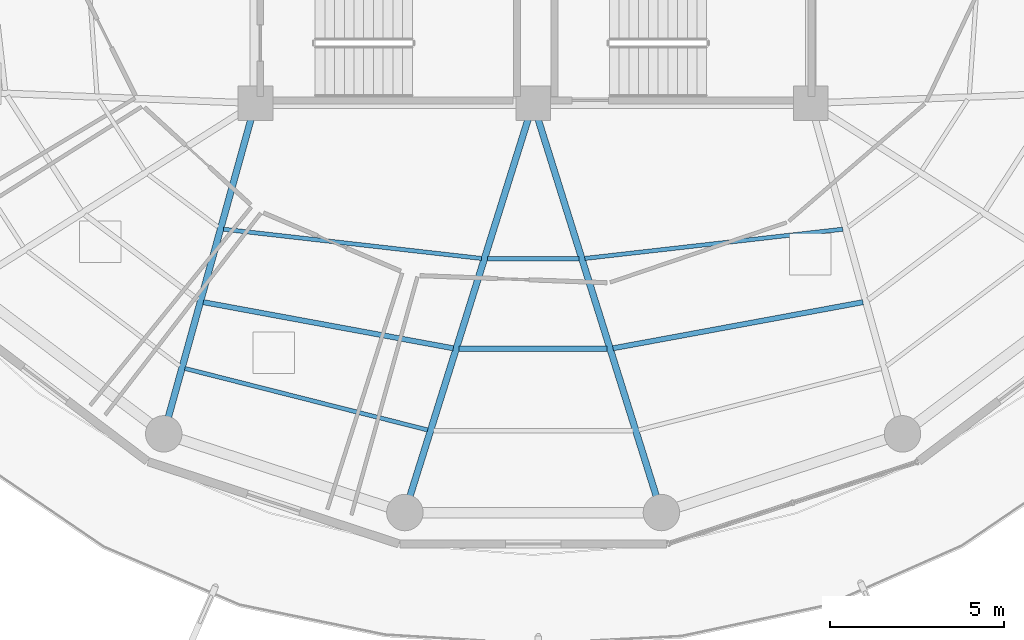
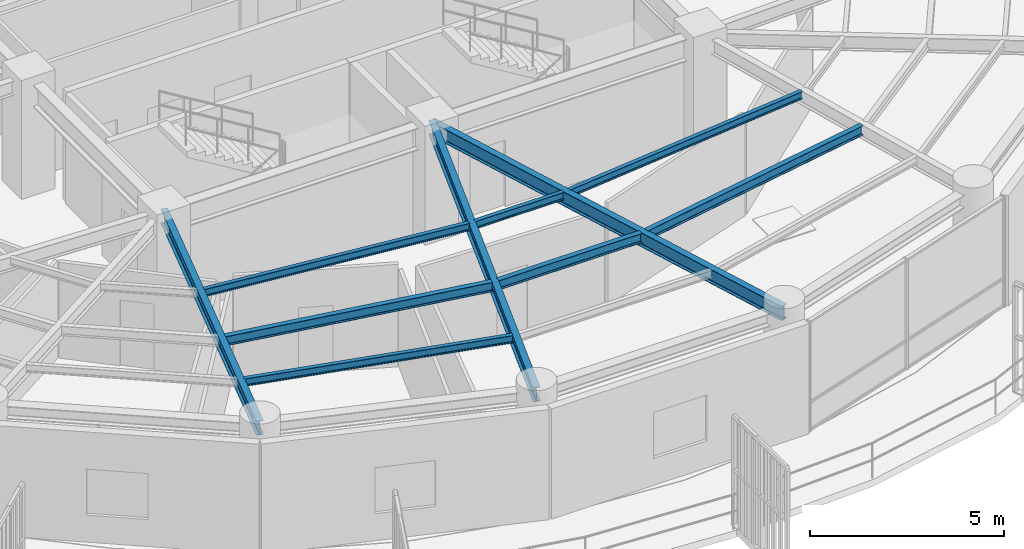
# One storey, part 5 of 31: 10 beams.
"""IFC4 building model written with IfcOpenShell, lengths in metres."""

from ifc_helpers import new_model, si_unit, direction, frame, origin, origin_2d, place, context, subcontext, project, spatial, i_section, extrude, material, material_profile, profile_set, type_object, element, save


model = new_model("IFC4")

# Units and contexts
model_context = context("Model", 3, precision=1e-05, world=origin(), true_north=direction((0.0, 1.0)))
body_context = subcontext(model_context, "Body", "Model", "MODEL_VIEW")
ifc_project = project(units=[si_unit("LENGTHUNIT", "METRE"), si_unit("AREAUNIT", "SQUARE_METRE"), si_unit("VOLUMEUNIT", "CUBIC_METRE"), si_unit("PLANEANGLEUNIT", "RADIAN"), si_unit("MASSUNIT", "GRAM", prefix="KILO")], contexts=[model_context])

# Site, building, storey
site_placement = place(None, origin())
site = spatial("IfcSite", under=ifc_project, at=site_placement, CompositionType="ELEMENT")
building_placement = place(site_placement, origin())
building = spatial("IfcBuilding", under=site, at=building_placement, Name="Kelanora Arch Commons", CompositionType="ELEMENT")
storey_placement = place(building_placement, frame((0.0, 0.0, 219.449951171875)))
storey = spatial("IfcBuildingStorey", under=building, at=storey_placement, Name="L56", CompositionType="ELEMENT", Elevation=219.449951171875)

# Beams
ifc_material = material(Name="Steel S355", Category="steel")
ifc_material_profile_1 = material_profile(ifc_material, i_section(OverallWidth=0.14990234375, OverallDepth=0.300048828125, WebThickness=0.007080078125, FlangeThickness=0.0107421875, FilletRadius=0.014892578125, at=origin_2d()), Name="IPE300")
ifc_profile_set_1 = profile_set([ifc_material_profile_1], Name="Steel S355")
beam_type_1 = type_object("IfcBeamType", Name="BM-JST-01", PredefinedType="JOIST", material=ifc_profile_set_1)
beam_1_placement = place(storey_placement, frame((64.49951171875, 45.270263671875, 3.340087890625), z_axis=(0.983389964671, -0.181505309519, 0.0), x_axis=(0.181505309519, 0.983389964671, 0.0)))
element("IfcBeam", 1, at=beam_1_placement, inside=storey, type_object=beam_type_1, Name="Secondary Chord Joist BJB-24 L56", PredefinedType="JOIST", context=body_context, shape_type="SweptSolid", body=[
    extrude(i_section(OverallWidth=0.14990234375, OverallDepth=0.300048828125, WebThickness=0.007080078125, FlangeThickness=0.0107421875, FilletRadius=0.014892578125, at=origin_2d()), origin(), (0.0, 0.0, 1.0), 7.3212890625),
])
beam_2_placement = place(storey_placement, frame((71.867919921875, 43.92578125, 3.340087890625), z_axis=(1.0, 0.0, 0.0), x_axis=(0.0, 1.0, 0.0)))
element("IfcBeam", 2, at=beam_2_placement, inside=storey, type_object=beam_type_1, Name="Secondary Chord Joist BJB-26 L56", PredefinedType="JOIST", context=body_context, shape_type="SweptSolid", body=[
    extrude(i_section(OverallWidth=0.14990234375, OverallDepth=0.300048828125, WebThickness=0.007080078125, FlangeThickness=0.0107421875, FilletRadius=0.014892578125, at=origin_2d()), origin(), (0.0, 0.0, 1.0), 4.26416015625),
])
beam_3_placement = place(storey_placement, frame((76.30078125, 43.94140625, 3.340087890625), z_axis=(0.983389964671, 0.181505309519, 0.0), x_axis=(-0.181505309519, 0.983389964671, 0.0)))
element("IfcBeam", 3, at=beam_3_placement, inside=storey, type_object=beam_type_1, Name="Secondary Chord Joist BJB-28 L56", PredefinedType="JOIST", context=body_context, shape_type="SweptSolid", body=[
    extrude(i_section(OverallWidth=0.14990234375, OverallDepth=0.300048828125, WebThickness=0.007080078125, FlangeThickness=0.0107421875, FilletRadius=0.014892578125, at=origin_2d()), origin(), (0.0, 0.0, 1.0), 7.3212890625),
])
ifc_material_profile_2 = material_profile(ifc_material, i_section(OverallWidth=0.1201171875, OverallDepth=0.239990234375, WebThickness=0.006103515625, FlangeThickness=0.009765625, FilletRadius=0.014892578125, at=origin_2d()), Name="IPE240")
ifc_profile_set_2 = profile_set([ifc_material_profile_2], Name="Steel S355")
beam_type_2 = type_object("IfcBeamType", Name="BM-JST-02", PredefinedType="JOIST", material=ifc_profile_set_2)
beam_4_placement = place(storey_placement, frame((65.081298828125, 47.371337890625, 3.3701171875), z_axis=(0.993639672263, -0.11260640171, 0.0), x_axis=(0.11260640171, 0.993639672263, 0.0)))
element("IfcBeam", 4, at=beam_4_placement, inside=storey, type_object=beam_type_2, Name="Secondary Chord Joist BJA-24 L56", PredefinedType="JOIST", context=body_context, shape_type="SweptSolid", body=[
    extrude(i_section(OverallWidth=0.1201171875, OverallDepth=0.239990234375, WebThickness=0.006103515625, FlangeThickness=0.009765625, FilletRadius=0.014892578125, at=origin_2d()), origin(), (0.0, 0.0, 1.0), 7.477783203125),
])
beam_5_placement = place(storey_placement, frame((63.970458984375, 43.360107421875, 3.3701171875), z_axis=(0.969370989998, -0.245601066263, 0.0), x_axis=(0.245601066263, 0.969370989998, 0.0)))
element("IfcBeam", 5, at=beam_5_placement, inside=storey, type_object=beam_type_2, Name="Secondary Chord Joist BJC-24 L56", PredefinedType="JOIST", context=body_context, shape_type="SweptSolid", body=[
    extrude(i_section(OverallWidth=0.1201171875, OverallDepth=0.239990234375, WebThickness=0.006103515625, FlangeThickness=0.009765625, FilletRadius=0.014892578125, at=origin_2d()), origin(), (0.0, 0.0, 1.0), 7.2119140625),
])
beam_6_placement = place(storey_placement, frame((72.680908203125, 46.519775390625, 3.3701171875), z_axis=(1.0, 0.0, 0.0), x_axis=(0.0, 1.0, 0.0)))
element("IfcBeam", 6, at=beam_6_placement, inside=storey, type_object=beam_type_2, Name="Secondary Chord Joist BJA-26 L56", PredefinedType="JOIST", context=body_context, shape_type="SweptSolid", body=[
    extrude(i_section(OverallWidth=0.1201171875, OverallDepth=0.239990234375, WebThickness=0.006103515625, FlangeThickness=0.009765625, FilletRadius=0.014892578125, at=origin_2d()), origin(), (0.0, 0.0, 1.0), 2.63818359375),
])
beam_7_placement = place(storey_placement, frame((75.488525390625, 46.529296875, 3.3701171875), z_axis=(0.993639672263, 0.11260640171, 0.0), x_axis=(-0.11260640171, 0.993639672263, 0.0)))
element("IfcBeam", 7, at=beam_7_placement, inside=storey, type_object=beam_type_2, Name="Secondary Chord Joist BJA-28 L56", PredefinedType="JOIST", context=body_context, shape_type="SweptSolid", body=[
    extrude(i_section(OverallWidth=0.1201171875, OverallDepth=0.239990234375, WebThickness=0.006103515625, FlangeThickness=0.009765625, FilletRadius=0.014892578125, at=origin_2d()), origin(), (0.0, 0.0, 1.0), 7.477783203125),
])
ifc_material_profile_3 = material_profile(ifc_material, i_section(OverallWidth=0.18994140625, OverallDepth=0.449951171875, WebThickness=0.009521484375, FlangeThickness=0.0146484375, FilletRadius=0.02099609375, at=origin_2d()), Name="IPE450")
ifc_profile_set_3 = profile_set([ifc_material_profile_3], Name="Steel S355")
beam_type_3 = type_object("IfcBeamType", Name="BM-RAD-Z4", PredefinedType="BEAM", material=ifc_profile_set_3)
beam_8_placement = place(storey_placement, frame((66.0, 51.0, 3.26513671875), z_axis=(-0.267120164296, -0.963663228429, 0.0), x_axis=(0.963663228429, -0.267120164296, 0.0)))
element("IfcBeam", 8, at=beam_8_placement, inside=storey, type_object=beam_type_3, Name="Radial Floor Girder BR-24 L56", PredefinedType="BEAM", context=body_context, shape_type="SweptSolid", body=[
    extrude(i_section(OverallWidth=0.18994140625, OverallDepth=0.449951171875, WebThickness=0.009521484375, FlangeThickness=0.0146484375, FilletRadius=0.02099609375, at=origin_2d()), origin(), (0.0, 0.0, 1.0), 9.8828125),
])
for number, where, z_axis, x_axis, name in (
    (9, (74.0, 51.0, 3.26513671875), (-0.299080457492, -0.954227897279, 0.0), (0.954227897279, -0.299080457492, 0.0), "Radial Floor Girder BR-26 L56"),
    (10, (74.0, 51.0, 3.26513671875), (0.299080457492, -0.954227897279, 0.0), (0.954227897279, 0.299080457492, 0.0), "Radial Floor Girder BR-28 L56"),
):
    element("IfcBeam", number, at=place(storey_placement, frame(where, z_axis=z_axis, x_axis=x_axis)), inside=storey, type_object=beam_type_3, Name=name, PredefinedType="BEAM", context=body_context, shape_type="SweptSolid", body=[
        extrude(i_section(OverallWidth=0.18994140625, OverallDepth=0.449951171875, WebThickness=0.009521484375, FlangeThickness=0.0146484375, FilletRadius=0.02099609375, at=origin_2d()), origin(), (0.0, 0.0, 1.0), 12.35546875),
    ])

save(model, "model.ifc")
